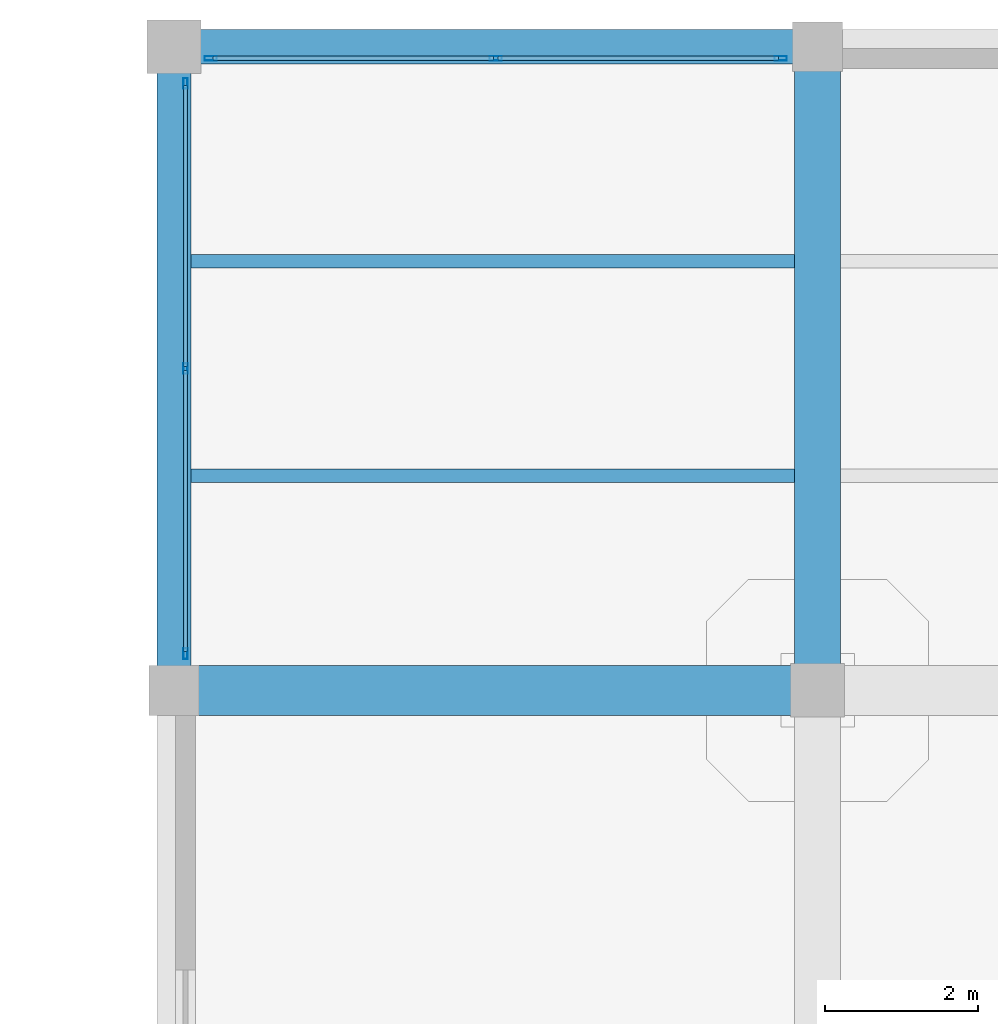
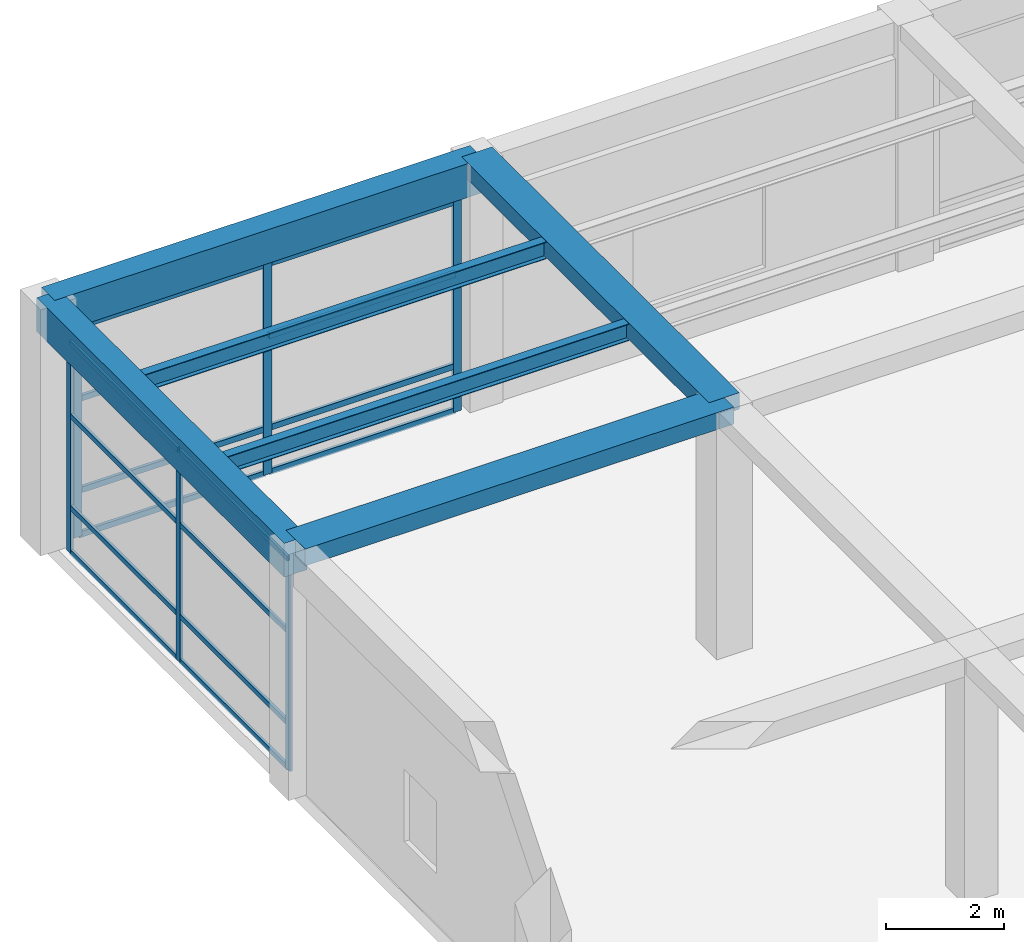
# One storey, part 35 of 95: 22 members, 6 beams, 2 elements without a shape of their own.
"""IFC4 building model written with IfcOpenShell, lengths in metres."""

from ifc_helpers import new_model, si_unit, direction, frame, origin, origin_2d, place, context, subcontext, project, spatial, rectangle, hollow_rectangle, i_section, extrude, material, material_profile, profile_set, type_object, element, aggregate, save


model = new_model("IFC4")

# Units and contexts
model_context = context("Model", 3, precision=1e-05, world=origin(), true_north=direction((0.0, 1.0)))
body_context = subcontext(model_context, "Body", "Model", "MODEL_VIEW")
ifc_project = project(units=[si_unit("LENGTHUNIT", "METRE"), si_unit("AREAUNIT", "SQUARE_METRE"), si_unit("VOLUMEUNIT", "CUBIC_METRE"), si_unit("PLANEANGLEUNIT", "RADIAN"), si_unit("MASSUNIT", "GRAM", prefix="KILO")], contexts=[model_context])

# Site, building, storey
site_placement = place(None, origin())
site = spatial("IfcSite", under=ifc_project, at=site_placement, CompositionType="ELEMENT")
building_placement = place(site_placement, origin())
building = spatial("IfcBuilding", under=site, at=building_placement, Name="Almacenes y Pasaje Nevantli", CompositionType="ELEMENT")
storey_placement = place(building_placement, frame((0.0, 0.0, 11.39990234375)))
storey = spatial("IfcBuildingStorey", under=building, at=storey_placement, Name="L03", CompositionType="ELEMENT", Elevation=11.39990234375)

# Beams
ifc_material_1 = material(Name="Concrete C35/45", Category="concrete")
ifc_material_profile_1 = material_profile(ifc_material_1, rectangle(XDim=0.449951171875, YDim=0.699951171875, at=origin_2d()), Name="RC-BM-450x700")
ifc_profile_set_1 = profile_set([ifc_material_profile_1], Name="Concrete C35/45")
beam_type_1 = type_object("IfcBeamType", Name="BM-RC-450x700", PredefinedType="SPANDREL", material=ifc_profile_set_1)
beam_1_placement = place(storey_placement, frame((0.0, 117.60009765625, 4.75), z_axis=(1.0, 0.0, 0.0), x_axis=(0.0, 1.0, 0.0)))
element("IfcBeam", 1, at=beam_1_placement, inside=storey, type_object=beam_type_1, Name="L03 East-West Reinforced Concrete Beam #2460", PredefinedType="SPANDREL", context=body_context, shape_type="SweptSolid", body=[
    extrude(rectangle(XDim=0.449951171875, YDim=0.699951171875, at=origin_2d()), origin(), (0.0, 0.0, 1.0), 8.39990234375),
])
beam_2_placement = place(storey_placement, frame((0.0, 109.199951171875, 4.75), z_axis=(0.0, 1.0, 0.0), x_axis=(-1.0, 0.0, 0.0)))
element("IfcBeam", 2, at=beam_2_placement, inside=storey, type_object=beam_type_1, Name="L03 North-South Reinforced Concrete Beam #2490", PredefinedType="SPANDREL", context=body_context, shape_type="SweptSolid", body=[
    extrude(rectangle(XDim=0.449951171875, YDim=0.699951171875, at=origin_2d()), origin(), (0.0, 0.0, 1.0), 8.400146484375),
])
ifc_material_2 = material(Name="Concrete C35/45", Category="concrete")
ifc_material_profile_2 = material_profile(ifc_material_2, rectangle(XDim=0.60009765625, YDim=0.340087890625, at=origin_2d()), Name="RC-BM-600x340")
ifc_profile_set_2 = profile_set([ifc_material_profile_2], Name="Concrete C35/45")
beam_type_2 = type_object("IfcBeamType", Name="BM-RC-600x340", PredefinedType="BEAM", material=ifc_profile_set_2)
beam_3_placement = place(storey_placement, frame((8.39990234375, 109.199951171875, 4.93017578125), z_axis=(0.0, 1.0, 0.0), x_axis=(-1.0, 0.0, 0.0)))
element("IfcBeam", 3, at=beam_3_placement, inside=storey, type_object=beam_type_2, Name="L03 North-South Reinforced Concrete Beam #2501", PredefinedType="BEAM", context=body_context, shape_type="SweptSolid", body=[
    extrude(rectangle(XDim=0.60009765625, YDim=0.340087890625, at=origin_2d()), origin(), (0.0, 0.0, 1.0), 8.400146484375),
])
ifc_material_3 = material(Name="Concrete C35/45", Category="concrete")
ifc_material_profile_3 = material_profile(ifc_material_3, rectangle(XDim=0.64990234375, YDim=0.35009765625, at=origin_2d()), Name="RC-BM-650x350")
ifc_profile_set_3 = profile_set([ifc_material_profile_3], Name="Concrete C35/45")
beam_type_3 = type_object("IfcBeamType", Name="BM-RC-650x350", PredefinedType="BEAM", material=ifc_profile_set_3)
beam_4_placement = place(storey_placement, frame((0.0, 109.199951171875, 4.925048828125), z_axis=(1.0, 0.0, 0.0), x_axis=(0.0, 1.0, 0.0)))
element("IfcBeam", 4, at=beam_4_placement, inside=storey, type_object=beam_type_3, Name="L03 East-West Reinforced Concrete Beam #2443", PredefinedType="BEAM", context=body_context, shape_type="SweptSolid", body=[
    extrude(rectangle(XDim=0.64990234375, YDim=0.35009765625, at=origin_2d()), origin(), (0.0, 0.0, 1.0), 8.39990234375),
])
ifc_material_4 = material(Name="Steel ASTM A992", Category="steel")
ifc_material_profile_4 = material_profile(ifc_material_4, i_section(OverallWidth=0.173095703125, OverallDepth=0.35302734375, WebThickness=0.0078125, FlangeThickness=0.01318359375, at=origin_2d()), Name="IR 356x56.6")
ifc_profile_set_4 = profile_set([ifc_material_profile_4], Name="Steel ASTM A992")
beam_type_4 = type_object("IfcBeamType", Name="BM-STL-IR-356x56p6", PredefinedType="JOIST", material=ifc_profile_set_4)
for number, where, z_axis, x_axis, name in (
    (5, (0.22509765625, 112.0, 4.91552734375), (1.0, 0.0, 0.0), (0.0, 1.0, 0.0), "L03 Secondary Steel Floor Joist #677"),
    (6, (0.22509765625, 114.800048828125, 4.91552734375), (1.0, 0.0, 0.0), (0.0, 1.0, 0.0), "L03 Secondary Steel Floor Joist #678"),
):
    element("IfcBeam", number, at=place(storey_placement, frame(where, z_axis=z_axis, x_axis=x_axis)), inside=storey, type_object=beam_type_4, Name=name, PredefinedType="JOIST", context=body_context, shape_type="SweptSolid", body=[
        extrude(i_section(OverallWidth=0.173095703125, OverallDepth=0.35302734375, WebThickness=0.0078125, FlangeThickness=0.01318359375, at=origin_2d()), origin(), (0.0, 0.0, 1.0), 7.875),
    ])

# Curtain wall, members
ifc_material_5 = material(Name="Thermally Broken Aluminium and Low-E Glass", Category="aluminium")
curtain_wall_type_1 = type_object("IfcCurtainWallType", Name="CW-UNIT-PODIUM", PredefinedType="USERDEFINED", material=ifc_material_5)
curtain_wall_1_placement = place(storey_placement, origin())
curtain_wall_1 = element("IfcCurtainWall", 7, at=curtain_wall_1_placement, inside=storey, type_object=curtain_wall_type_1, Name="L03 West Avenue Unitized Curtain Wall Bay 14", ObjectType="UNITIZED CURTAIN WALL", PredefinedType="USERDEFINED")
ifc_material_6 = material(Name="Thermally Broken Anodized Aluminium", Category="aluminium")
ifc_material_profile_5 = material_profile(ifc_material_6, hollow_rectangle(XDim=0.054931640625, YDim=0.139892578125, WallThickness=0.00341796875, at=origin_2d()), Name="ALU-MUL-55x140")
ifc_profile_set_5 = profile_set([ifc_material_profile_5], Name="Thermally Broken Anodized Aluminium")
member_type_1 = type_object("IfcMemberType", Name="CW-MUL-160", PredefinedType="MULLION", material=ifc_profile_set_5)
member_1_placement = place(storey_placement, frame((0.14990234375, 109.677490234375, 0.0), z_axis=(0.0, 0.0, 1.0), x_axis=(-1.0, 0.0, 0.0)))
member_1 = element("IfcMember", 8, at=member_1_placement, type_object=member_type_1, Name="CW-L03-053 mullion 1", PredefinedType="MULLION", context=body_context, shape_type="SweptSolid", body=[
    extrude(hollow_rectangle(XDim=0.054931640625, YDim=0.139892578125, WallThickness=0.00341796875, at=origin_2d()), origin(), (0.0, 0.0, 1.0), 4.380126953125),
])
member_2_placement = place(storey_placement, frame((0.14990234375, 113.39990234375, 0.0), z_axis=(0.0, 0.0, 1.0), x_axis=(-1.0, 0.0, 0.0)))
member_2 = element("IfcMember", 9, at=member_2_placement, type_object=member_type_1, Name="CW-L03-053 mullion 2", PredefinedType="MULLION", context=body_context, shape_type="SweptSolid", body=[
    extrude(hollow_rectangle(XDim=0.054931640625, YDim=0.139892578125, WallThickness=0.00341796875, at=origin_2d()), origin(), (0.0, 0.0, 1.0), 4.380126953125),
])
member_3_placement = place(storey_placement, frame((0.14990234375, 117.12255859375, 0.0), z_axis=(0.0, 0.0, 1.0), x_axis=(-1.0, 0.0, 0.0)))
member_3 = element("IfcMember", 10, at=member_3_placement, type_object=member_type_1, Name="CW-L03-053 mullion 3", PredefinedType="MULLION", context=body_context, shape_type="SweptSolid", body=[
    extrude(hollow_rectangle(XDim=0.054931640625, YDim=0.139892578125, WallThickness=0.00341796875, at=origin_2d()), origin(), (0.0, 0.0, 1.0), 4.380126953125),
])

ifc_material_7 = material(Name="Thermally Broken Aluminium and Low-E Glass", Category="aluminium")
curtain_wall_type_2 = type_object("IfcCurtainWallType", Name="CW-STF-BLVD", PredefinedType="USERDEFINED", material=ifc_material_7)
curtain_wall_2_placement = place(storey_placement, origin())
curtain_wall_2 = element("IfcCurtainWall", 11, at=curtain_wall_2_placement, inside=storey, type_object=curtain_wall_type_2, Name="L03 North Boulevard Retail Curtain Wall Bay 1", ObjectType="STOREFRONT GLAZING", PredefinedType="USERDEFINED")
ifc_material_8 = material(Name="Thermally Broken Anodized Aluminium", Category="aluminium")
ifc_material_profile_6 = material_profile(ifc_material_8, hollow_rectangle(XDim=0.06005859375, YDim=0.159912109375, WallThickness=0.00390625, at=origin_2d()), Name="ALU-MUL-60x160")
ifc_profile_set_6 = profile_set([ifc_material_profile_6], Name="Thermally Broken Anodized Aluminium")
member_type_2 = type_object("IfcMemberType", Name="CW-MUL-180", PredefinedType="MULLION", material=ifc_profile_set_6)
member_4_placement = place(storey_placement, frame((0.47998046875, 117.449951171875, 0.0), z_axis=(0.0, 0.0, 1.0), x_axis=(0.0, 1.0, 0.0)))
member_4 = element("IfcMember", 12, at=member_4_placement, type_object=member_type_2, Name="CW-L03-034 mullion 1", PredefinedType="MULLION", context=body_context, shape_type="SweptSolid", body=[
    extrude(hollow_rectangle(XDim=0.06005859375, YDim=0.159912109375, WallThickness=0.00390625, at=origin_2d()), origin(), (0.0, 0.0, 1.0), 4.380126953125),
])
member_5_placement = place(storey_placement, frame((4.199951171875, 117.449951171875, 0.0), z_axis=(0.0, 0.0, 1.0), x_axis=(0.0, 1.0, 0.0)))
member_5 = element("IfcMember", 13, at=member_5_placement, type_object=member_type_2, Name="CW-L03-034 mullion 2", PredefinedType="MULLION", context=body_context, shape_type="SweptSolid", body=[
    extrude(hollow_rectangle(XDim=0.06005859375, YDim=0.159912109375, WallThickness=0.00390625, at=origin_2d()), origin(), (0.0, 0.0, 1.0), 4.380126953125),
])
member_6_placement = place(storey_placement, frame((7.919921875, 117.449951171875, 0.0), z_axis=(0.0, 0.0, 1.0), x_axis=(0.0, 1.0, 0.0)))
member_6 = element("IfcMember", 14, at=member_6_placement, type_object=member_type_2, Name="CW-L03-034 mullion 3", PredefinedType="MULLION", context=body_context, shape_type="SweptSolid", body=[
    extrude(hollow_rectangle(XDim=0.06005859375, YDim=0.159912109375, WallThickness=0.00390625, at=origin_2d()), origin(), (0.0, 0.0, 1.0), 4.380126953125),
])

# Member
ifc_material_9 = material(Name="Thermally Broken Anodized Aluminium", Category="aluminium")
ifc_material_profile_7 = material_profile(ifc_material_9, hollow_rectangle(XDim=0.054931640625, YDim=0.10498046875, WallThickness=0.003173828125, at=origin_2d()), Name="ALU-TRN-55x105")
ifc_profile_set_7 = profile_set([ifc_material_profile_7], Name="Thermally Broken Anodized Aluminium")
member_type_3 = type_object("IfcMemberType", Name="CW-TRN-120", PredefinedType="USERDEFINED", material=ifc_profile_set_7)
member_7_placement = place(storey_placement, frame((0.14990234375, 109.705078125, 0.027587890625), z_axis=(0.0, 1.0, 0.0), x_axis=(-1.0, 0.0, 0.0)))
member_7 = element("IfcMember", 15, at=member_7_placement, type_object=member_type_3, Name="CW-L03-053 transom 1.1", ObjectType="TRANSOM", PredefinedType="USERDEFINED", context=body_context, shape_type="SweptSolid", body=[
    extrude(hollow_rectangle(XDim=0.054931640625, YDim=0.10498046875, WallThickness=0.003173828125, at=origin_2d()), origin(), (0.0, 0.0, 1.0), 3.66748046875),
])

member_8_placement = place(storey_placement, frame((0.14990234375, 109.705078125, 0.9501953125), z_axis=(0.0, 1.0, 0.0), x_axis=(-1.0, 0.0, 0.0)))
member_8 = element("IfcMember", 16, at=member_8_placement, type_object=member_type_3, Name="CW-L03-053 transom 1.2", ObjectType="TRANSOM", PredefinedType="USERDEFINED", context=body_context, shape_type="SweptSolid", body=[
    extrude(hollow_rectangle(XDim=0.054931640625, YDim=0.10498046875, WallThickness=0.003173828125, at=origin_2d()), origin(), (0.0, 0.0, 1.0), 3.66748046875),
])

member_9_placement = place(storey_placement, frame((0.14990234375, 109.705078125, 2.85009765625), z_axis=(0.0, 1.0, 0.0), x_axis=(-1.0, 0.0, 0.0)))
member_9 = element("IfcMember", 17, at=member_9_placement, type_object=member_type_3, Name="CW-L03-053 transom 1.3", ObjectType="TRANSOM", PredefinedType="USERDEFINED", context=body_context, shape_type="SweptSolid", body=[
    extrude(hollow_rectangle(XDim=0.054931640625, YDim=0.10498046875, WallThickness=0.003173828125, at=origin_2d()), origin(), (0.0, 0.0, 1.0), 3.66748046875),
])

member_10_placement = place(storey_placement, frame((0.14990234375, 109.705078125, 4.3525390625), z_axis=(0.0, 1.0, 0.0), x_axis=(-1.0, 0.0, 0.0)))
member_10 = element("IfcMember", 18, at=member_10_placement, type_object=member_type_3, Name="CW-L03-053 transom 1.4", ObjectType="TRANSOM", PredefinedType="USERDEFINED", context=body_context, shape_type="SweptSolid", body=[
    extrude(hollow_rectangle(XDim=0.054931640625, YDim=0.10498046875, WallThickness=0.003173828125, at=origin_2d()), origin(), (0.0, 0.0, 1.0), 3.66748046875),
])

member_11_placement = place(storey_placement, frame((0.14990234375, 113.427490234375, 0.027587890625), z_axis=(0.0, 1.0, 0.0), x_axis=(-1.0, 0.0, 0.0)))
member_11 = element("IfcMember", 19, at=member_11_placement, type_object=member_type_3, Name="CW-L03-053 transom 2.1", ObjectType="TRANSOM", PredefinedType="USERDEFINED", context=body_context, shape_type="SweptSolid", body=[
    extrude(hollow_rectangle(XDim=0.054931640625, YDim=0.10498046875, WallThickness=0.003173828125, at=origin_2d()), origin(), (0.0, 0.0, 1.0), 3.66748046875),
])

member_12_placement = place(storey_placement, frame((0.14990234375, 113.427490234375, 0.9501953125), z_axis=(0.0, 1.0, 0.0), x_axis=(-1.0, 0.0, 0.0)))
member_12 = element("IfcMember", 20, at=member_12_placement, type_object=member_type_3, Name="CW-L03-053 transom 2.2", ObjectType="TRANSOM", PredefinedType="USERDEFINED", context=body_context, shape_type="SweptSolid", body=[
    extrude(hollow_rectangle(XDim=0.054931640625, YDim=0.10498046875, WallThickness=0.003173828125, at=origin_2d()), origin(), (0.0, 0.0, 1.0), 3.66748046875),
])

member_13_placement = place(storey_placement, frame((0.14990234375, 113.427490234375, 2.85009765625), z_axis=(0.0, 1.0, 0.0), x_axis=(-1.0, 0.0, 0.0)))
member_13 = element("IfcMember", 21, at=member_13_placement, type_object=member_type_3, Name="CW-L03-053 transom 2.3", ObjectType="TRANSOM", PredefinedType="USERDEFINED", context=body_context, shape_type="SweptSolid", body=[
    extrude(hollow_rectangle(XDim=0.054931640625, YDim=0.10498046875, WallThickness=0.003173828125, at=origin_2d()), origin(), (0.0, 0.0, 1.0), 3.66748046875),
])

member_14_placement = place(storey_placement, frame((0.14990234375, 113.427490234375, 4.3525390625), z_axis=(0.0, 1.0, 0.0), x_axis=(-1.0, 0.0, 0.0)))
member_14 = element("IfcMember", 22, at=member_14_placement, type_object=member_type_3, Name="CW-L03-053 transom 2.4", ObjectType="TRANSOM", PredefinedType="USERDEFINED", context=body_context, shape_type="SweptSolid", body=[
    extrude(hollow_rectangle(XDim=0.054931640625, YDim=0.10498046875, WallThickness=0.003173828125, at=origin_2d()), origin(), (0.0, 0.0, 1.0), 3.66748046875),
])

aggregate(curtain_wall_1, [member_1, member_2, member_3, member_7, member_8, member_9, member_10, member_11, member_12, member_13, member_14])

ifc_material_10 = material(Name="Thermally Broken Anodized Aluminium", Category="aluminium")
ifc_material_profile_8 = material_profile(ifc_material_10, hollow_rectangle(XDim=0.06005859375, YDim=0.1201171875, WallThickness=0.00341796875, at=origin_2d()), Name="ALU-TRN-60x120")
ifc_profile_set_8 = profile_set([ifc_material_profile_8], Name="Thermally Broken Anodized Aluminium")
member_type_4 = type_object("IfcMemberType", Name="CW-TRN-130", PredefinedType="USERDEFINED", material=ifc_profile_set_8)
member_15_placement = place(storey_placement, frame((0.510009765625, 117.449951171875, 0.030029296875), z_axis=(1.0, 0.0, 0.0), x_axis=(0.0, 1.0, 0.0)))
member_15 = element("IfcMember", 23, at=member_15_placement, type_object=member_type_4, Name="CW-L03-034 transom 1.1", ObjectType="TRANSOM", PredefinedType="USERDEFINED", context=body_context, shape_type="SweptSolid", body=[
    extrude(hollow_rectangle(XDim=0.06005859375, YDim=0.1201171875, WallThickness=0.00341796875, at=origin_2d()), origin(), (0.0, 0.0, 1.0), 3.659912109375),
])

member_16_placement = place(storey_placement, frame((0.510009765625, 117.449951171875, 0.9501953125), z_axis=(1.0, 0.0, 0.0), x_axis=(0.0, 1.0, 0.0)))
member_16 = element("IfcMember", 24, at=member_16_placement, type_object=member_type_4, Name="CW-L03-034 transom 1.2", ObjectType="TRANSOM", PredefinedType="USERDEFINED", context=body_context, shape_type="SweptSolid", body=[
    extrude(hollow_rectangle(XDim=0.06005859375, YDim=0.1201171875, WallThickness=0.00341796875, at=origin_2d()), origin(), (0.0, 0.0, 1.0), 3.659912109375),
])

member_17_placement = place(storey_placement, frame((0.510009765625, 117.449951171875, 2.85009765625), z_axis=(1.0, 0.0, 0.0), x_axis=(0.0, 1.0, 0.0)))
member_17 = element("IfcMember", 25, at=member_17_placement, type_object=member_type_4, Name="CW-L03-034 transom 1.3", ObjectType="TRANSOM", PredefinedType="USERDEFINED", context=body_context, shape_type="SweptSolid", body=[
    extrude(hollow_rectangle(XDim=0.06005859375, YDim=0.1201171875, WallThickness=0.00341796875, at=origin_2d()), origin(), (0.0, 0.0, 1.0), 3.659912109375),
])

member_18_placement = place(storey_placement, frame((0.510009765625, 117.449951171875, 4.35009765625), z_axis=(1.0, 0.0, 0.0), x_axis=(0.0, 1.0, 0.0)))
member_18 = element("IfcMember", 26, at=member_18_placement, type_object=member_type_4, Name="CW-L03-034 transom 1.4", ObjectType="TRANSOM", PredefinedType="USERDEFINED", context=body_context, shape_type="SweptSolid", body=[
    extrude(hollow_rectangle(XDim=0.06005859375, YDim=0.1201171875, WallThickness=0.00341796875, at=origin_2d()), origin(), (0.0, 0.0, 1.0), 3.659912109375),
])

member_19_placement = place(storey_placement, frame((4.22998046875, 117.449951171875, 0.030029296875), z_axis=(1.0, 0.0, 0.0), x_axis=(0.0, 1.0, 0.0)))
member_19 = element("IfcMember", 27, at=member_19_placement, type_object=member_type_4, Name="CW-L03-034 transom 2.1", ObjectType="TRANSOM", PredefinedType="USERDEFINED", context=body_context, shape_type="SweptSolid", body=[
    extrude(hollow_rectangle(XDim=0.06005859375, YDim=0.1201171875, WallThickness=0.00341796875, at=origin_2d()), origin(), (0.0, 0.0, 1.0), 3.659912109375),
])

member_20_placement = place(storey_placement, frame((4.22998046875, 117.449951171875, 0.9501953125), z_axis=(1.0, 0.0, 0.0), x_axis=(0.0, 1.0, 0.0)))
member_20 = element("IfcMember", 28, at=member_20_placement, type_object=member_type_4, Name="CW-L03-034 transom 2.2", ObjectType="TRANSOM", PredefinedType="USERDEFINED", context=body_context, shape_type="SweptSolid", body=[
    extrude(hollow_rectangle(XDim=0.06005859375, YDim=0.1201171875, WallThickness=0.00341796875, at=origin_2d()), origin(), (0.0, 0.0, 1.0), 3.659912109375),
])

member_21_placement = place(storey_placement, frame((4.22998046875, 117.449951171875, 2.85009765625), z_axis=(1.0, 0.0, 0.0), x_axis=(0.0, 1.0, 0.0)))
member_21 = element("IfcMember", 29, at=member_21_placement, type_object=member_type_4, Name="CW-L03-034 transom 2.3", ObjectType="TRANSOM", PredefinedType="USERDEFINED", context=body_context, shape_type="SweptSolid", body=[
    extrude(hollow_rectangle(XDim=0.06005859375, YDim=0.1201171875, WallThickness=0.00341796875, at=origin_2d()), origin(), (0.0, 0.0, 1.0), 3.659912109375),
])

member_22_placement = place(storey_placement, frame((4.22998046875, 117.449951171875, 4.35009765625), z_axis=(1.0, 0.0, 0.0), x_axis=(0.0, 1.0, 0.0)))
member_22 = element("IfcMember", 30, at=member_22_placement, type_object=member_type_4, Name="CW-L03-034 transom 2.4", ObjectType="TRANSOM", PredefinedType="USERDEFINED", context=body_context, shape_type="SweptSolid", body=[
    extrude(hollow_rectangle(XDim=0.06005859375, YDim=0.1201171875, WallThickness=0.00341796875, at=origin_2d()), origin(), (0.0, 0.0, 1.0), 3.659912109375),
])

aggregate(curtain_wall_2, [member_4, member_5, member_6, member_15, member_16, member_17, member_18, member_19, member_20, member_21, member_22])

save(model, "model.ifc")
